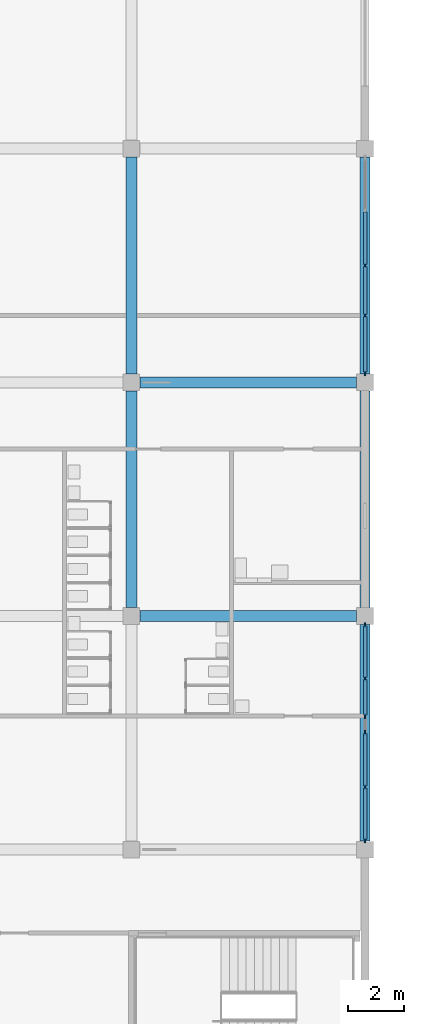
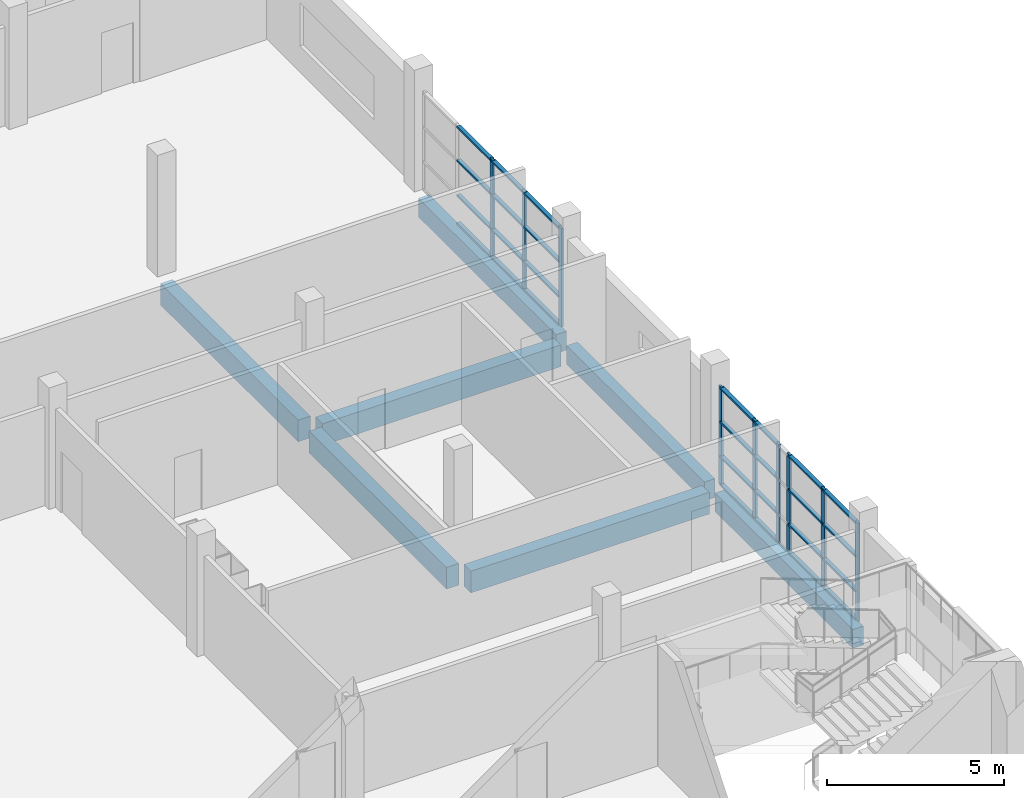
# One storey, part 4 of 56: 37 members, 7 beams, 2 elements without a shape of their own.
"""IFC4 building model written with IfcOpenShell, lengths in metres."""

from ifc_helpers import new_model, si_unit, direction, frame, origin, origin_2d, place, context, subcontext, project, spatial, rectangle, extrude, material, layer, layer_set, material_profile, profile_set, type_object, element, aggregate, save


model = new_model("IFC4")

# Units and contexts
model_context = context("Model", 3, precision=1e-05, world=origin(), true_north=direction((0.0, 1.0)))
body_context = subcontext(model_context, "Body", "Model", "MODEL_VIEW")
ifc_project = project(units=[si_unit("LENGTHUNIT", "METRE"), si_unit("AREAUNIT", "SQUARE_METRE"), si_unit("VOLUMEUNIT", "CUBIC_METRE"), si_unit("PLANEANGLEUNIT", "RADIAN"), si_unit("MASSUNIT", "GRAM", prefix="KILO")], contexts=[model_context])

# Site, building, storey
site_placement = place(None, origin())
site = spatial("IfcSite", under=ifc_project, at=site_placement, CompositionType="ELEMENT")
building_placement = place(site_placement, origin())
building = spatial("IfcBuilding", under=site, at=building_placement, Name="Rulbaag Community and Learning Centre", CompositionType="ELEMENT")
storey_placement = place(building_placement, frame((0.0, 0.0, 9.89990234375)))
storey = spatial("IfcBuildingStorey", under=building, at=storey_placement, Name="L02", CompositionType="ELEMENT", Elevation=9.89990234375)

# Beams
ifc_material_1 = material(Name="Concrete M40", Category="concrete")
ifc_material_profile_1 = material_profile(ifc_material_1, rectangle(XDim=0.39990234375, YDim=0.75, at=origin_2d()), Name="RB400x750")
ifc_profile_set_1 = profile_set([ifc_material_profile_1], Name="Concrete M40")
beam_type_1 = type_object("IfcBeamType", Name="B22 Classroom floor beam 400x750 Concrete M40", PredefinedType="BEAM", material=ifc_profile_set_1)
for number, where, z_axis, x_axis, name in (
    (1, (159.905029296875, 16.800048828125, -0.625), (1.0, 0.0, 0.0), (0.0, 1.0, 0.0), "BM-L02-20C-21C"),
    (2, (159.60009765625, 17.10498046875, -0.625), (0.0, 1.0, 0.0), (-1.0, 0.0, 0.0), "BM-L02-20C-20D"),
    (3, (159.905029296875, 25.199951171875, -0.625), (1.0, 0.0, 0.0), (0.0, 1.0, 0.0), "BM-L02-20D-21D"),
    (4, (159.60009765625, 25.5048828125, -0.625), (0.0, 1.0, 0.0), (-1.0, 0.0, 0.0), "BM-L02-20D-20E"),
):
    element("IfcBeam", number, at=place(storey_placement, frame(where, z_axis=z_axis, x_axis=x_axis)), inside=storey, type_object=beam_type_1, Name=name, PredefinedType="BEAM", context=body_context, shape_type="SweptSolid", body=[
        extrude(rectangle(XDim=0.39990234375, YDim=0.75, at=origin_2d()), origin(), (0.0, 0.0, 1.0), 7.7900390625),
    ])
ifc_material_profile_2 = material_profile(ifc_material_1, rectangle(XDim=0.35009765625, YDim=0.64990234375, at=origin_2d()), Name="RB350x650")
ifc_profile_set_2 = profile_set([ifc_material_profile_2], Name="Concrete M40")
beam_type_2 = type_object("IfcBeamType", Name="B8 Hall wing edge beam 350x650 Concrete M40", PredefinedType="BEAM", material=ifc_profile_set_2)
for number, where, z_axis, x_axis, name in (
    (5, (168.0, 8.705078125, -0.574951171875), (0.0, 1.0, 0.0), (-1.0, 0.0, 0.0), "BM-L02-21B-21C"),
    (6, (168.0, 17.10498046875, -0.574951171875), (0.0, 1.0, 0.0), (-1.0, 0.0, 0.0), "BM-L02-21C-21D"),
    (7, (168.0, 25.5048828125, -0.574951171875), (0.0, 1.0, 0.0), (-1.0, 0.0, 0.0), "BM-L02-21D-21E"),
):
    element("IfcBeam", number, at=place(storey_placement, frame(where, z_axis=z_axis, x_axis=x_axis)), inside=storey, type_object=beam_type_2, Name=name, PredefinedType="BEAM", context=body_context, shape_type="SweptSolid", body=[
        extrude(rectangle(XDim=0.35009765625, YDim=0.64990234375, at=origin_2d()), origin(), (0.0, 0.0, 1.0), 7.7900390625),
    ])

# Curtain wall, members
ifc_material_2 = material(Name="Aluminium", Category="aluminium")
ifc_layer = layer(ifc_material_2, 0.14990234375)
ifc_layer_set = layer_set([ifc_layer], Name="CW-L")
curtain_wall_type = type_object("IfcCurtainWallType", Name="CW-L", PredefinedType="USERDEFINED", material=ifc_layer_set)
curtain_wall_1_placement = place(storey_placement, origin())
curtain_wall_1 = element("IfcCurtainWall", 8, at=curtain_wall_1_placement, inside=storey, type_object=curtain_wall_type, Name="GL-L02-06", ObjectType="STICK CURTAIN WALL", PredefinedType="USERDEFINED")
ifc_material_3 = material(Name="Aluminium mullion", Category="aluminium")
ifc_material_profile_3 = material_profile(ifc_material_3, rectangle(XDim=0.06494140625, YDim=0.175048828125, at=origin_2d()), Name="AL 65x175")
ifc_profile_set_3 = profile_set([ifc_material_profile_3], Name="Aluminium mullion")
member_type_1 = type_object("IfcMemberType", Name="CW-L-MUL", PredefinedType="MULLION", material=ifc_profile_set_3)
member_1_placement = place(storey_placement, frame((168.0, 8.732421875, 0.0), z_axis=(0.0, 0.0, 1.0), x_axis=(-1.0, 0.0, 0.0)))
member_1 = element("IfcMember", 9, at=member_1_placement, type_object=member_type_1, Name="GL mullion 1", PredefinedType="MULLION", context=body_context, shape_type="SweptSolid", body=[
    extrude(rectangle(XDim=0.06494140625, YDim=0.175048828125, at=origin_2d()), origin(), (0.0, 0.0, 1.0), 3.400146484375),
])
member_2_placement = place(storey_placement, frame((168.0, 10.64990234375, 0.0), z_axis=(0.0, 0.0, 1.0), x_axis=(-1.0, 0.0, 0.0)))
member_2 = element("IfcMember", 10, at=member_2_placement, type_object=member_type_1, Name="GL mullion 2", PredefinedType="MULLION", context=body_context, shape_type="SweptSolid", body=[
    extrude(rectangle(XDim=0.06494140625, YDim=0.175048828125, at=origin_2d()), origin(), (0.0, 0.0, 1.0), 3.400146484375),
])
member_3_placement = place(storey_placement, frame((168.0, 12.60009765625, 0.0), z_axis=(0.0, 0.0, 1.0), x_axis=(-1.0, 0.0, 0.0)))
member_3 = element("IfcMember", 11, at=member_3_placement, type_object=member_type_1, Name="GL mullion 3", PredefinedType="MULLION", context=body_context, shape_type="SweptSolid", body=[
    extrude(rectangle(XDim=0.06494140625, YDim=0.175048828125, at=origin_2d()), origin(), (0.0, 0.0, 1.0), 3.400146484375),
])
member_4_placement = place(storey_placement, frame((168.0, 13.199951171875, 0.0), z_axis=(0.0, 0.0, 1.0), x_axis=(-1.0, 0.0, 0.0)))
member_4 = element("IfcMember", 12, at=member_4_placement, type_object=member_type_1, Name="GL mullion 4", PredefinedType="MULLION", context=body_context, shape_type="SweptSolid", body=[
    extrude(rectangle(XDim=0.06494140625, YDim=0.175048828125, at=origin_2d()), origin(), (0.0, 0.0, 1.0), 3.400146484375),
])
member_5_placement = place(storey_placement, frame((168.0, 14.550048828125, 0.0), z_axis=(0.0, 0.0, 1.0), x_axis=(-1.0, 0.0, 0.0)))
member_5 = element("IfcMember", 13, at=member_5_placement, type_object=member_type_1, Name="GL mullion 5", PredefinedType="MULLION", context=body_context, shape_type="SweptSolid", body=[
    extrude(rectangle(XDim=0.06494140625, YDim=0.175048828125, at=origin_2d()), origin(), (0.0, 0.0, 1.0), 3.400146484375),
])
member_6_placement = place(storey_placement, frame((168.0, 16.467529296875, 0.0), z_axis=(0.0, 0.0, 1.0), x_axis=(-1.0, 0.0, 0.0)))
member_6 = element("IfcMember", 14, at=member_6_placement, type_object=member_type_1, Name="GL mullion 6", PredefinedType="MULLION", context=body_context, shape_type="SweptSolid", body=[
    extrude(rectangle(XDim=0.06494140625, YDim=0.175048828125, at=origin_2d()), origin(), (0.0, 0.0, 1.0), 3.400146484375),
])

curtain_wall_2_placement = place(storey_placement, origin())
curtain_wall_2 = element("IfcCurtainWall", 15, at=curtain_wall_2_placement, inside=storey, type_object=curtain_wall_type, Name="GL-L02-07", ObjectType="STICK CURTAIN WALL", PredefinedType="USERDEFINED")
member_7_placement = place(storey_placement, frame((168.0, 25.532470703125, 0.0), z_axis=(0.0, 0.0, 1.0), x_axis=(-1.0, 0.0, 0.0)))
member_7 = element("IfcMember", 16, at=member_7_placement, type_object=member_type_1, Name="GL mullion 1", PredefinedType="MULLION", context=body_context, shape_type="SweptSolid", body=[
    extrude(rectangle(XDim=0.06494140625, YDim=0.175048828125, at=origin_2d()), origin(), (0.0, 0.0, 1.0), 3.400146484375),
])
member_8_placement = place(storey_placement, frame((168.0, 27.60009765625, 0.0), z_axis=(0.0, 0.0, 1.0), x_axis=(-1.0, 0.0, 0.0)))
member_8 = element("IfcMember", 17, at=member_8_placement, type_object=member_type_1, Name="GL mullion 2", PredefinedType="MULLION", context=body_context, shape_type="SweptSolid", body=[
    extrude(rectangle(XDim=0.06494140625, YDim=0.175048828125, at=origin_2d()), origin(), (0.0, 0.0, 1.0), 3.400146484375),
])
member_9_placement = place(storey_placement, frame((168.0, 29.39990234375, 0.0), z_axis=(0.0, 0.0, 1.0), x_axis=(-1.0, 0.0, 0.0)))
member_9 = element("IfcMember", 18, at=member_9_placement, type_object=member_type_1, Name="GL mullion 3", PredefinedType="MULLION", context=body_context, shape_type="SweptSolid", body=[
    extrude(rectangle(XDim=0.06494140625, YDim=0.175048828125, at=origin_2d()), origin(), (0.0, 0.0, 1.0), 3.400146484375),
])

# Member
ifc_material_4 = material(Name="Aluminium transom", Category="aluminium")
ifc_material_profile_4 = material_profile(ifc_material_4, rectangle(XDim=0.125, YDim=0.06494140625, at=origin_2d()), Name="AL 65x125 T")
ifc_profile_set_4 = profile_set([ifc_material_profile_4], Name="Aluminium transom")
member_type_2 = type_object("IfcMemberType", Name="CW-L-TRN", PredefinedType="USERDEFINED", material=ifc_profile_set_4)
member_10_placement = place(storey_placement, frame((168.0, 8.764892578125, 0.03271484375), z_axis=(0.0, 1.0, 0.0), x_axis=(-1.0, 0.0, 0.0)))
member_10 = element("IfcMember", 19, at=member_10_placement, type_object=member_type_2, Name="GL transom 1.1", ObjectType="TRANSOM", PredefinedType="USERDEFINED", context=body_context, shape_type="SweptSolid", body=[
    extrude(rectangle(XDim=0.125, YDim=0.06494140625, at=origin_2d()), origin(), (0.0, 0.0, 1.0), 1.8525390625),
])

member_11_placement = place(storey_placement, frame((168.0, 8.764892578125, 1.0), z_axis=(0.0, 1.0, 0.0), x_axis=(-1.0, 0.0, 0.0)))
member_11 = element("IfcMember", 20, at=member_11_placement, type_object=member_type_2, Name="GL transom 1.2", ObjectType="TRANSOM", PredefinedType="USERDEFINED", context=body_context, shape_type="SweptSolid", body=[
    extrude(rectangle(XDim=0.125, YDim=0.06494140625, at=origin_2d()), origin(), (0.0, 0.0, 1.0), 1.8525390625),
])

member_12_placement = place(storey_placement, frame((168.0, 8.764892578125, 2.2001953125), z_axis=(0.0, 1.0, 0.0), x_axis=(-1.0, 0.0, 0.0)))
member_12 = element("IfcMember", 21, at=member_12_placement, type_object=member_type_2, Name="GL transom 1.3", ObjectType="TRANSOM", PredefinedType="USERDEFINED", context=body_context, shape_type="SweptSolid", body=[
    extrude(rectangle(XDim=0.125, YDim=0.06494140625, at=origin_2d()), origin(), (0.0, 0.0, 1.0), 1.8525390625),
])

member_13_placement = place(storey_placement, frame((168.0, 8.764892578125, 3.36767578125), z_axis=(0.0, 1.0, 0.0), x_axis=(-1.0, 0.0, 0.0)))
member_13 = element("IfcMember", 22, at=member_13_placement, type_object=member_type_2, Name="GL transom 1.4", ObjectType="TRANSOM", PredefinedType="USERDEFINED", context=body_context, shape_type="SweptSolid", body=[
    extrude(rectangle(XDim=0.125, YDim=0.06494140625, at=origin_2d()), origin(), (0.0, 0.0, 1.0), 1.8525390625),
])

member_14_placement = place(storey_placement, frame((168.0, 10.6826171875, 0.03271484375), z_axis=(0.0, 1.0, 0.0), x_axis=(-1.0, 0.0, 0.0)))
member_14 = element("IfcMember", 23, at=member_14_placement, type_object=member_type_2, Name="GL transom 2.1", ObjectType="TRANSOM", PredefinedType="USERDEFINED", context=body_context, shape_type="SweptSolid", body=[
    extrude(rectangle(XDim=0.125, YDim=0.06494140625, at=origin_2d()), origin(), (0.0, 0.0, 1.0), 1.884765625),
])

member_15_placement = place(storey_placement, frame((168.0, 10.6826171875, 1.0), z_axis=(0.0, 1.0, 0.0), x_axis=(-1.0, 0.0, 0.0)))
member_15 = element("IfcMember", 24, at=member_15_placement, type_object=member_type_2, Name="GL transom 2.2", ObjectType="TRANSOM", PredefinedType="USERDEFINED", context=body_context, shape_type="SweptSolid", body=[
    extrude(rectangle(XDim=0.125, YDim=0.06494140625, at=origin_2d()), origin(), (0.0, 0.0, 1.0), 1.884765625),
])

member_16_placement = place(storey_placement, frame((168.0, 10.6826171875, 2.2001953125), z_axis=(0.0, 1.0, 0.0), x_axis=(-1.0, 0.0, 0.0)))
member_16 = element("IfcMember", 25, at=member_16_placement, type_object=member_type_2, Name="GL transom 2.3", ObjectType="TRANSOM", PredefinedType="USERDEFINED", context=body_context, shape_type="SweptSolid", body=[
    extrude(rectangle(XDim=0.125, YDim=0.06494140625, at=origin_2d()), origin(), (0.0, 0.0, 1.0), 1.884765625),
])

member_17_placement = place(storey_placement, frame((168.0, 10.6826171875, 3.36767578125), z_axis=(0.0, 1.0, 0.0), x_axis=(-1.0, 0.0, 0.0)))
member_17 = element("IfcMember", 26, at=member_17_placement, type_object=member_type_2, Name="GL transom 2.4", ObjectType="TRANSOM", PredefinedType="USERDEFINED", context=body_context, shape_type="SweptSolid", body=[
    extrude(rectangle(XDim=0.125, YDim=0.06494140625, at=origin_2d()), origin(), (0.0, 0.0, 1.0), 1.884765625),
])

member_18_placement = place(storey_placement, frame((168.0, 13.232421875, 0.03271484375), z_axis=(0.0, 1.0, 0.0), x_axis=(-1.0, 0.0, 0.0)))
member_18 = element("IfcMember", 27, at=member_18_placement, type_object=member_type_2, Name="GL transom 4.1", ObjectType="TRANSOM", PredefinedType="USERDEFINED", context=body_context, shape_type="SweptSolid", body=[
    extrude(rectangle(XDim=0.125, YDim=0.06494140625, at=origin_2d()), origin(), (0.0, 0.0, 1.0), 1.28515625),
])

member_19_placement = place(storey_placement, frame((168.0, 13.232421875, 1.0), z_axis=(0.0, 1.0, 0.0), x_axis=(-1.0, 0.0, 0.0)))
member_19 = element("IfcMember", 28, at=member_19_placement, type_object=member_type_2, Name="GL transom 4.2", ObjectType="TRANSOM", PredefinedType="USERDEFINED", context=body_context, shape_type="SweptSolid", body=[
    extrude(rectangle(XDim=0.125, YDim=0.06494140625, at=origin_2d()), origin(), (0.0, 0.0, 1.0), 1.28515625),
])

member_20_placement = place(storey_placement, frame((168.0, 13.232421875, 2.2001953125), z_axis=(0.0, 1.0, 0.0), x_axis=(-1.0, 0.0, 0.0)))
member_20 = element("IfcMember", 29, at=member_20_placement, type_object=member_type_2, Name="GL transom 4.3", ObjectType="TRANSOM", PredefinedType="USERDEFINED", context=body_context, shape_type="SweptSolid", body=[
    extrude(rectangle(XDim=0.125, YDim=0.06494140625, at=origin_2d()), origin(), (0.0, 0.0, 1.0), 1.28515625),
])

member_21_placement = place(storey_placement, frame((168.0, 13.232421875, 3.36767578125), z_axis=(0.0, 1.0, 0.0), x_axis=(-1.0, 0.0, 0.0)))
member_21 = element("IfcMember", 30, at=member_21_placement, type_object=member_type_2, Name="GL transom 4.4", ObjectType="TRANSOM", PredefinedType="USERDEFINED", context=body_context, shape_type="SweptSolid", body=[
    extrude(rectangle(XDim=0.125, YDim=0.06494140625, at=origin_2d()), origin(), (0.0, 0.0, 1.0), 1.28515625),
])

member_22_placement = place(storey_placement, frame((168.0, 14.58251953125, 0.03271484375), z_axis=(0.0, 1.0, 0.0), x_axis=(-1.0, 0.0, 0.0)))
member_22 = element("IfcMember", 31, at=member_22_placement, type_object=member_type_2, Name="GL transom 5.1", ObjectType="TRANSOM", PredefinedType="USERDEFINED", context=body_context, shape_type="SweptSolid", body=[
    extrude(rectangle(XDim=0.125, YDim=0.06494140625, at=origin_2d()), origin(), (0.0, 0.0, 1.0), 1.8525390625),
])

member_23_placement = place(storey_placement, frame((168.0, 14.58251953125, 1.0), z_axis=(0.0, 1.0, 0.0), x_axis=(-1.0, 0.0, 0.0)))
member_23 = element("IfcMember", 32, at=member_23_placement, type_object=member_type_2, Name="GL transom 5.2", ObjectType="TRANSOM", PredefinedType="USERDEFINED", context=body_context, shape_type="SweptSolid", body=[
    extrude(rectangle(XDim=0.125, YDim=0.06494140625, at=origin_2d()), origin(), (0.0, 0.0, 1.0), 1.8525390625),
])

member_24_placement = place(storey_placement, frame((168.0, 14.58251953125, 2.2001953125), z_axis=(0.0, 1.0, 0.0), x_axis=(-1.0, 0.0, 0.0)))
member_24 = element("IfcMember", 33, at=member_24_placement, type_object=member_type_2, Name="GL transom 5.3", ObjectType="TRANSOM", PredefinedType="USERDEFINED", context=body_context, shape_type="SweptSolid", body=[
    extrude(rectangle(XDim=0.125, YDim=0.06494140625, at=origin_2d()), origin(), (0.0, 0.0, 1.0), 1.8525390625),
])

member_25_placement = place(storey_placement, frame((168.0, 14.58251953125, 3.36767578125), z_axis=(0.0, 1.0, 0.0), x_axis=(-1.0, 0.0, 0.0)))
member_25 = element("IfcMember", 34, at=member_25_placement, type_object=member_type_2, Name="GL transom 5.4", ObjectType="TRANSOM", PredefinedType="USERDEFINED", context=body_context, shape_type="SweptSolid", body=[
    extrude(rectangle(XDim=0.125, YDim=0.06494140625, at=origin_2d()), origin(), (0.0, 0.0, 1.0), 1.8525390625),
])

aggregate(curtain_wall_1, [member_1, member_2, member_3, member_4, member_5, member_6, member_10, member_11, member_12, member_13, member_14, member_15, member_16, member_17, member_18, member_19, member_20, member_21, member_22, member_23, member_24, member_25])

member_26_placement = place(storey_placement, frame((168.0, 25.56494140625, 0.03271484375), z_axis=(0.0, 1.0, 0.0), x_axis=(-1.0, 0.0, 0.0)))
member_26 = element("IfcMember", 35, at=member_26_placement, type_object=member_type_2, Name="GL transom 1.1", ObjectType="TRANSOM", PredefinedType="USERDEFINED", context=body_context, shape_type="SweptSolid", body=[
    extrude(rectangle(XDim=0.125, YDim=0.06494140625, at=origin_2d()), origin(), (0.0, 0.0, 1.0), 2.00244140625),
])

member_27_placement = place(storey_placement, frame((168.0, 25.56494140625, 1.0), z_axis=(0.0, 1.0, 0.0), x_axis=(-1.0, 0.0, 0.0)))
member_27 = element("IfcMember", 36, at=member_27_placement, type_object=member_type_2, Name="GL transom 1.2", ObjectType="TRANSOM", PredefinedType="USERDEFINED", context=body_context, shape_type="SweptSolid", body=[
    extrude(rectangle(XDim=0.125, YDim=0.06494140625, at=origin_2d()), origin(), (0.0, 0.0, 1.0), 2.00244140625),
])

member_28_placement = place(storey_placement, frame((168.0, 25.56494140625, 2.2001953125), z_axis=(0.0, 1.0, 0.0), x_axis=(-1.0, 0.0, 0.0)))
member_28 = element("IfcMember", 37, at=member_28_placement, type_object=member_type_2, Name="GL transom 1.3", ObjectType="TRANSOM", PredefinedType="USERDEFINED", context=body_context, shape_type="SweptSolid", body=[
    extrude(rectangle(XDim=0.125, YDim=0.06494140625, at=origin_2d()), origin(), (0.0, 0.0, 1.0), 2.00244140625),
])

member_29_placement = place(storey_placement, frame((168.0, 25.56494140625, 3.36767578125), z_axis=(0.0, 1.0, 0.0), x_axis=(-1.0, 0.0, 0.0)))
member_29 = element("IfcMember", 38, at=member_29_placement, type_object=member_type_2, Name="GL transom 1.4", ObjectType="TRANSOM", PredefinedType="USERDEFINED", context=body_context, shape_type="SweptSolid", body=[
    extrude(rectangle(XDim=0.125, YDim=0.06494140625, at=origin_2d()), origin(), (0.0, 0.0, 1.0), 2.00244140625),
])

member_30_placement = place(storey_placement, frame((168.0, 27.632568359375, 0.03271484375), z_axis=(0.0, 1.0, 0.0), x_axis=(-1.0, 0.0, 0.0)))
member_30 = element("IfcMember", 39, at=member_30_placement, type_object=member_type_2, Name="GL transom 2.1", ObjectType="TRANSOM", PredefinedType="USERDEFINED", context=body_context, shape_type="SweptSolid", body=[
    extrude(rectangle(XDim=0.125, YDim=0.06494140625, at=origin_2d()), origin(), (0.0, 0.0, 1.0), 1.73486328125),
])

member_31_placement = place(storey_placement, frame((168.0, 27.632568359375, 1.0), z_axis=(0.0, 1.0, 0.0), x_axis=(-1.0, 0.0, 0.0)))
member_31 = element("IfcMember", 40, at=member_31_placement, type_object=member_type_2, Name="GL transom 2.2", ObjectType="TRANSOM", PredefinedType="USERDEFINED", context=body_context, shape_type="SweptSolid", body=[
    extrude(rectangle(XDim=0.125, YDim=0.06494140625, at=origin_2d()), origin(), (0.0, 0.0, 1.0), 1.73486328125),
])

member_32_placement = place(storey_placement, frame((168.0, 27.632568359375, 2.2001953125), z_axis=(0.0, 1.0, 0.0), x_axis=(-1.0, 0.0, 0.0)))
member_32 = element("IfcMember", 41, at=member_32_placement, type_object=member_type_2, Name="GL transom 2.3", ObjectType="TRANSOM", PredefinedType="USERDEFINED", context=body_context, shape_type="SweptSolid", body=[
    extrude(rectangle(XDim=0.125, YDim=0.06494140625, at=origin_2d()), origin(), (0.0, 0.0, 1.0), 1.73486328125),
])

member_33_placement = place(storey_placement, frame((168.0, 27.632568359375, 3.36767578125), z_axis=(0.0, 1.0, 0.0), x_axis=(-1.0, 0.0, 0.0)))
member_33 = element("IfcMember", 42, at=member_33_placement, type_object=member_type_2, Name="GL transom 2.4", ObjectType="TRANSOM", PredefinedType="USERDEFINED", context=body_context, shape_type="SweptSolid", body=[
    extrude(rectangle(XDim=0.125, YDim=0.06494140625, at=origin_2d()), origin(), (0.0, 0.0, 1.0), 1.73486328125),
])

member_34_placement = place(storey_placement, frame((168.0, 29.4326171875, 0.03271484375), z_axis=(0.0, 1.0, 0.0), x_axis=(-1.0, 0.0, 0.0)))
member_34 = element("IfcMember", 43, at=member_34_placement, type_object=member_type_2, Name="GL transom 3.1", ObjectType="TRANSOM", PredefinedType="USERDEFINED", context=body_context, shape_type="SweptSolid", body=[
    extrude(rectangle(XDim=0.125, YDim=0.06494140625, at=origin_2d()), origin(), (0.0, 0.0, 1.0), 1.884765625),
])

member_35_placement = place(storey_placement, frame((168.0, 29.4326171875, 1.0), z_axis=(0.0, 1.0, 0.0), x_axis=(-1.0, 0.0, 0.0)))
member_35 = element("IfcMember", 44, at=member_35_placement, type_object=member_type_2, Name="GL transom 3.2", ObjectType="TRANSOM", PredefinedType="USERDEFINED", context=body_context, shape_type="SweptSolid", body=[
    extrude(rectangle(XDim=0.125, YDim=0.06494140625, at=origin_2d()), origin(), (0.0, 0.0, 1.0), 1.884765625),
])

member_36_placement = place(storey_placement, frame((168.0, 29.4326171875, 2.2001953125), z_axis=(0.0, 1.0, 0.0), x_axis=(-1.0, 0.0, 0.0)))
member_36 = element("IfcMember", 45, at=member_36_placement, type_object=member_type_2, Name="GL transom 3.3", ObjectType="TRANSOM", PredefinedType="USERDEFINED", context=body_context, shape_type="SweptSolid", body=[
    extrude(rectangle(XDim=0.125, YDim=0.06494140625, at=origin_2d()), origin(), (0.0, 0.0, 1.0), 1.884765625),
])

member_37_placement = place(storey_placement, frame((168.0, 29.4326171875, 3.36767578125), z_axis=(0.0, 1.0, 0.0), x_axis=(-1.0, 0.0, 0.0)))
member_37 = element("IfcMember", 46, at=member_37_placement, type_object=member_type_2, Name="GL transom 3.4", ObjectType="TRANSOM", PredefinedType="USERDEFINED", context=body_context, shape_type="SweptSolid", body=[
    extrude(rectangle(XDim=0.125, YDim=0.06494140625, at=origin_2d()), origin(), (0.0, 0.0, 1.0), 1.884765625),
])

aggregate(curtain_wall_2, [member_7, member_8, member_9, member_26, member_27, member_28, member_29, member_30, member_31, member_32, member_33, member_34, member_35, member_36, member_37])

save(model, "model.ifc")
